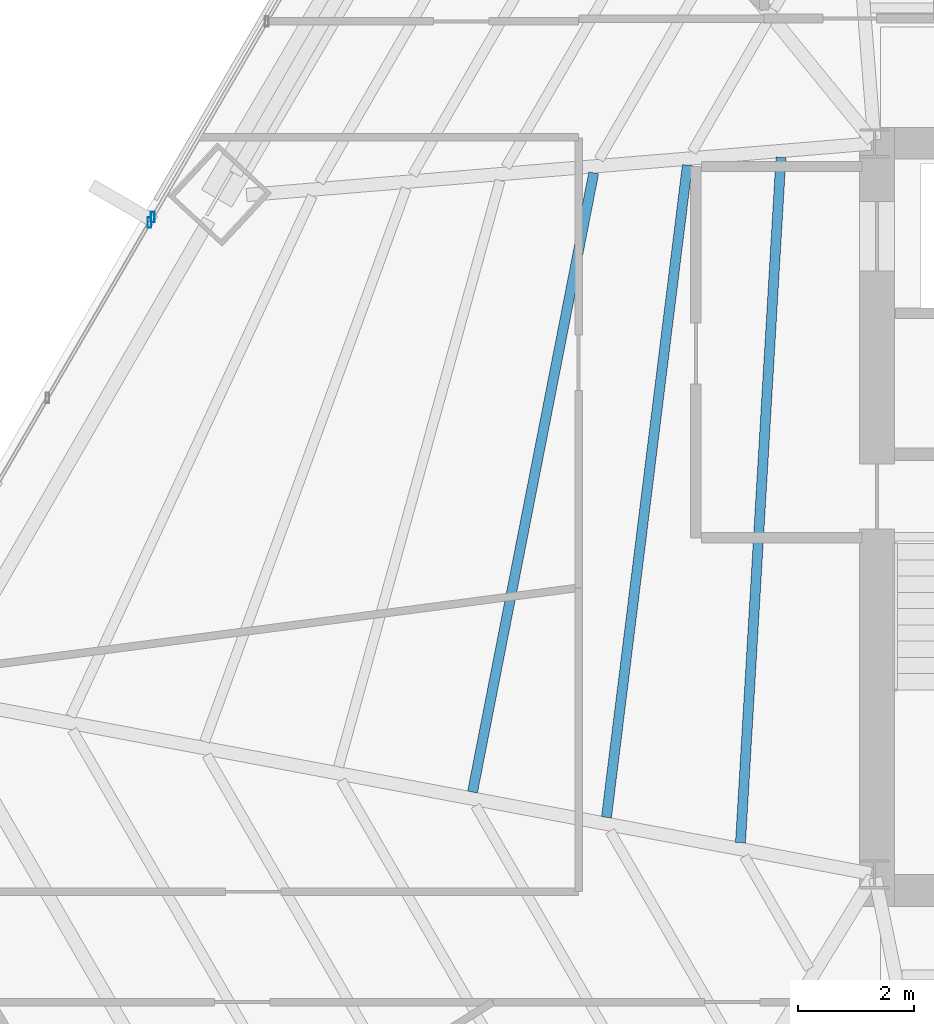
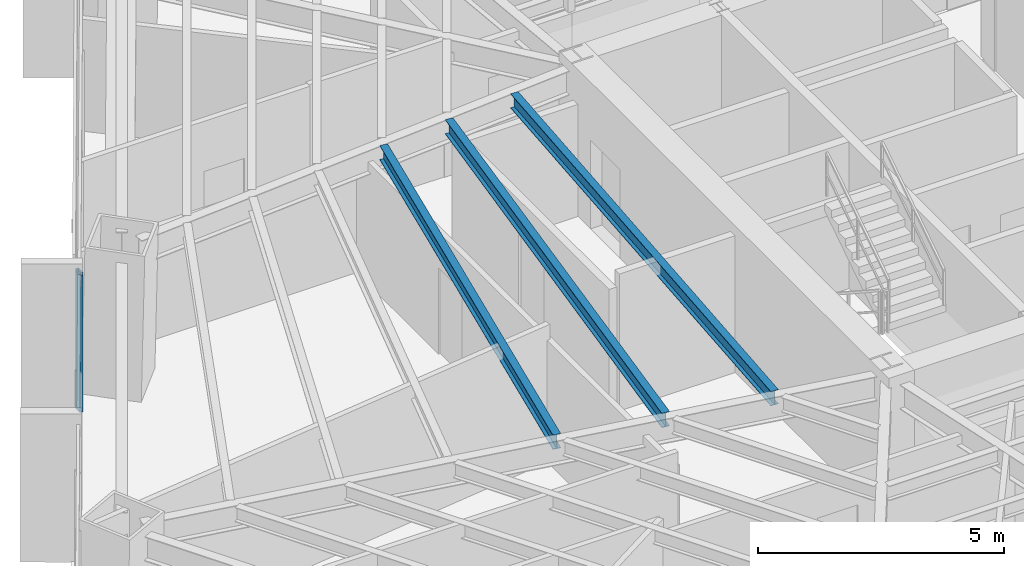
# One storey, part 12 of 37: 3 beams, 2 members, 2 elements without a shape of their own.
"""IFC4 building model written with IfcOpenShell, lengths in metres."""

import ifcopenshell
import ifcopenshell.guid

model = None  # the IFC model being written
_history = None  # IfcOwnerHistory: only IFC2X3 demands one
_inside = {}  # id of a spatial element -> (the spatial element, [elements in it])
_under = {}  # id of a project, library or spatial element -> (it, [spatial elements below it])
_declared = {}  # id of a project -> (the project, [libraries it declares])
_typed = {}  # id of a type object -> (the type object, [elements of that type])
_made_of = {}  # id of a material, layer set ... -> (it, [elements and type objects made of it])


def new_model(schema):
    """Start an empty IFC model of exactly this schema.

    Asked for "IFC4X3", IfcOpenShell would pick the latest addendum, in which some entities
    have other attributes; the version numbers below select the first issue.
    IFC2X3 requires an IfcOwnerHistory on every rooted entity: one is made here for all.
    """
    global model, _history
    if schema == "IFC4X3":
        model = ifcopenshell.file(schema_version=(4, 3, 0, 0))
    else:
        model = ifcopenshell.file(schema=schema)
    _inside.clear()
    _under.clear()
    _declared.clear()
    _typed.clear()
    _made_of.clear()
    _history = None
    if model.schema == "IFC2X3":
        org = make("IfcOrganization", Name="unknown")
        user = make(
            "IfcPersonAndOrganization",
            ThePerson=make("IfcPerson", FamilyName="unknown"),
            TheOrganization=org,
        )
        app = make(
            "IfcApplication",
            ApplicationDeveloper=org,
            Version="unknown",
            ApplicationFullName="unknown",
            ApplicationIdentifier="unknown",
        )
        _history = make(
            "IfcOwnerHistory",
            OwningUser=user,
            OwningApplication=app,
            ChangeAction="ADDED",
            CreationDate=0,
        )
    return model


def make(cls, **values):
    """One entity of the class cls with the attributes given. An attribute that is None is left unset."""
    return model.create_entity(
        cls, **{name: value for name, value in values.items() if value is not None}
    )


def rooted(cls, **values):
    """An entity with a GlobalId (a new one), such as an element, a storey or a relation."""
    return make(cls, GlobalId=ifcopenshell.guid.new(), OwnerHistory=_history, **values)


def si_unit(unit_type, name, prefix=None):
    """IfcSIUnit, for example si_unit("LENGTHUNIT", "METRE", prefix="MILLI")."""
    return make("IfcSIUnit", UnitType=unit_type, Prefix=prefix, Name=name)


def assignment(units):
    """IfcUnitAssignment: the units of a project."""
    return None if units is None else make("IfcUnitAssignment", Units=units)


def point(xyz):
    """IfcCartesianPoint."""
    return None if xyz is None else make("IfcCartesianPoint", Coordinates=xyz)


def direction(xyz):
    """IfcDirection."""
    return None if xyz is None else make("IfcDirection", DirectionRatios=xyz)


def frame(location, z_axis=None, x_axis=None):
    """IfcAxis2Placement3D, a coordinate frame: its origin and axes. An axis left out is left unset."""
    return make(
        "IfcAxis2Placement3D",
        Location=point(location),
        Axis=direction(z_axis),
        RefDirection=direction(x_axis),
    )


def frame_2d(location, x_axis=None):
    """IfcAxis2Placement2D, a coordinate frame in the plane: its origin and x axis."""
    return make(
        "IfcAxis2Placement2D", Location=point(location), RefDirection=direction(x_axis)
    )


def origin():
    """The frame at (0, 0, 0) with its axes left unset."""
    return frame((0.0, 0.0, 0.0))


def origin_2d():
    """The frame at (0, 0) in the plane with its x axis left unset."""
    return frame_2d((0.0, 0.0))


def place(relative_to, where):
    """IfcLocalPlacement: puts the frame where relative to a parent placement (None: the world)."""
    return make(
        "IfcLocalPlacement", PlacementRelTo=relative_to, RelativePlacement=where
    )


def context(
    kind, dimensions, precision=None, world=None, true_north=None, identifier=None
):
    """IfcGeometricRepresentationContext, for example the 3D "Model" context."""
    return make(
        "IfcGeometricRepresentationContext",
        ContextIdentifier=identifier,
        ContextType=kind,
        CoordinateSpaceDimension=dimensions,
        Precision=precision,
        WorldCoordinateSystem=world,
        TrueNorth=true_north,
    )


def subcontext(parent, identifier, kind, view, scale=None):
    """IfcGeometricRepresentationSubContext, for example "Body" below "Model"."""
    return make(
        "IfcGeometricRepresentationSubContext",
        ContextIdentifier=identifier,
        ContextType=kind,
        ParentContext=parent,
        TargetScale=scale,
        TargetView=view,
    )


def project(units=None, contexts=None):
    """IfcProject with its units and contexts."""
    return rooted(
        "IfcProject",
        Name="project",
        RepresentationContexts=contexts,
        UnitsInContext=assignment(units),
    )


def spatial(cls, under=None, at=None, **own):
    """A site, building, storey or space (cls), placed at a placement, below another one or the project."""
    s = rooted(cls, ObjectPlacement=at, **own)
    if under is not None:
        _under.setdefault(under.id(), (under, []))[1].append(s)
    return s


def profile(cls, at=None, kind="AREA", **sizes):
    """A parametric profile (cls). Its sizes go by their IFC names, for example OverallWidth=200.0."""
    return make(cls, ProfileType=kind, Position=at, **sizes)


def hollow_rectangle(**sizes):
    """IfcRectangleHollowProfileDef."""
    return profile("IfcRectangleHollowProfileDef", **sizes)


def i_section(**sizes):
    """IfcIShapeProfileDef."""
    return profile("IfcIShapeProfileDef", **sizes)


def extrude(swept, where, along, depth):
    """IfcExtrudedAreaSolid: the profile swept, set in the frame where, extruded along a direction by depth."""
    return make(
        "IfcExtrudedAreaSolid",
        SweptArea=swept,
        Position=where,
        ExtrudedDirection=direction(along),
        Depth=depth,
    )


def shape(context_of_items, identifier, shape_type, items):
    """IfcShapeRepresentation: the items that make up one representation, for example the "Body"."""
    return make(
        "IfcShapeRepresentation",
        ContextOfItems=context_of_items,
        RepresentationIdentifier=identifier,
        RepresentationType=shape_type,
        Items=items,
    )


def source(mapping_origin, context_of_items, identifier, shape_type, items):
    """IfcRepresentationMap: a shape defined once, which mapped items show again and again."""
    return make(
        "IfcRepresentationMap",
        MappingOrigin=mapping_origin,
        MappedRepresentation=shape(context_of_items, identifier, shape_type, items),
    )


def transform(
    local_origin,
    x_axis=None,
    y_axis=None,
    z_axis=None,
    scale=None,
    scale2=None,
    scale3=None,
    uniform=True,
):
    """IfcCartesianTransformationOperator3D, or its non-uniform kind. x_axis, y_axis, z_axis: its Axis1, 2, 3."""
    if uniform:
        return make(
            "IfcCartesianTransformationOperator3D",
            Axis1=direction(x_axis),
            Axis2=direction(y_axis),
            LocalOrigin=point(local_origin),
            Scale=scale,
            Axis3=direction(z_axis),
        )
    return make(
        "IfcCartesianTransformationOperator3DnonUniform",
        Axis1=direction(x_axis),
        Axis2=direction(y_axis),
        LocalOrigin=point(local_origin),
        Scale=scale,
        Axis3=direction(z_axis),
        Scale2=scale2,
        Scale3=scale3,
    )


def mapped(mapping_source, mapping_target):
    """IfcMappedItem: shows the shape of a source again, moved by a transform."""
    return make(
        "IfcMappedItem", MappingSource=mapping_source, MappingTarget=mapping_target
    )


def material(Name=None, Category=None):
    """IfcMaterial."""
    return make("IfcMaterial", Name=Name, Category=Category)


def material_profile(
    of_material, cross_section, Name=None, Category=None, Priority=None
):
    """IfcMaterialProfile: a cross section and its material."""
    return make(
        "IfcMaterialProfile",
        Name=Name,
        Material=of_material,
        Profile=cross_section,
        Priority=Priority,
        Category=Category,
    )


def profile_set(profiles, Name=None, composite=None):
    """IfcMaterialProfileSet."""
    return make(
        "IfcMaterialProfileSet",
        Name=Name,
        MaterialProfiles=profiles,
        CompositeProfile=composite,
    )


def made_of(thing, what):
    """Note that an element or type object is made of a material, layer set ...; save() writes the relation."""
    if what is not None:
        _made_of.setdefault(what.id(), (what, []))[1].append(thing)
    return thing


def type_object(cls, material=None, **own):
    """A type object (cls), such as IfcWallType, which elements share."""
    return made_of(rooted(cls, **own), material)


def type_shapes(of_type, sources):
    """Give a type object the sources (RepresentationMaps) that its elements show as mapped items."""
    of_type.RepresentationMaps = sources


def element(
    cls,
    number,
    at=None,
    inside=None,
    cuts=None,
    type_object=None,
    material=None,
    context=None,
    identifier="Body",
    shape_type=None,
    held_by="IfcProductDefinitionShape",
    body=None,
    shapes=None,
    **own,
):
    """One element of the class cls, such as IfcWall. Its Tag is "e" and its number.

    at: its placement. inside: the storey or other place that contains it. cuts: it is an
    opening in that element (IfcRelVoidsElement). A single representation is given by context,
    identifier, shape_type and body (its items); several are given by shapes. held_by: the class
    of the entity that holds the representations. save() writes the other relations.
    """
    e = rooted(cls, Tag="e%d" % number, ObjectPlacement=at, **own)
    if body is not None:
        shapes = [shape(context, identifier, shape_type, body)]
    if shapes is not None:
        e.Representation = make(held_by, Representations=shapes)
    if inside is not None:
        _inside.setdefault(inside.id(), (inside, []))[1].append(e)
    if cuts is not None:
        rooted(
            "IfcRelVoidsElement", RelatingBuildingElement=cuts, RelatedOpeningElement=e
        )
    if type_object is not None:
        _typed.setdefault(type_object.id(), (type_object, []))[1].append(e)
    return made_of(e, material)


def aggregate(whole, parts):
    """IfcRelAggregates: a whole, such as a stair, and the parts it consists of."""
    return rooted("IfcRelAggregates", RelatingObject=whole, RelatedObjects=parts)


def save(model, path):
    """Write the relations noted so far, then the file.

    IfcRelAggregates (storeys below a building ...), IfcRelContainedInSpatialStructure (elements
    in a storey), IfcRelDefinesByType, IfcRelAssociatesMaterial and IfcRelDeclares: one each for
    every whole, place, type object, material and project.
    """
    for whole, parts in _under.values():
        aggregate(whole, parts)
    for where, things in _inside.values():
        rooted(
            "IfcRelContainedInSpatialStructure",
            RelatedElements=things,
            RelatingStructure=where,
        )
    for kind, things in _typed.values():
        rooted("IfcRelDefinesByType", RelatedObjects=things, RelatingType=kind)
    for what, things in _made_of.values():
        rooted("IfcRelAssociatesMaterial", RelatedObjects=things, RelatingMaterial=what)
    for by, libraries in _declared.values():
        rooted("IfcRelDeclares", RelatingContext=by, RelatedDefinitions=libraries)
    model.write(path)


model = new_model("IFC4")

# Units and contexts
model_context = context("Model", 3, precision=1e-05, world=origin(), true_north=direction((0.0, 1.0)))
body_context = subcontext(model_context, "Body", "Model", "MODEL_VIEW")
ifc_project = project(units=[si_unit("LENGTHUNIT", "METRE"), si_unit("AREAUNIT", "SQUARE_METRE"), si_unit("VOLUMEUNIT", "CUBIC_METRE"), si_unit("PLANEANGLEUNIT", "RADIAN"), si_unit("MASSUNIT", "GRAM", prefix="KILO")], contexts=[model_context])

# Site, building, storey
site_placement = place(None, origin())
site = spatial("IfcSite", under=ifc_project, at=site_placement, CompositionType="ELEMENT")
building_placement = place(site_placement, origin())
building = spatial("IfcBuilding", under=site, at=building_placement, Name="Caelisora Broadcast Tower", CompositionType="ELEMENT")
storey_placement = place(building_placement, frame((0.0, 0.0, 45.85009765625)))
storey = spatial("IfcBuildingStorey", under=building, at=storey_placement, Name="L11", CompositionType="ELEMENT", Elevation=45.85009765625)

# Beams
ifc_material_1 = material(Name="Steel Grade 350 (AS/NZS 3679.1)", Category="steel")
ifc_material_profile_1 = material_profile(ifc_material_1, i_section(OverallWidth=0.172119140625, OverallDepth=0.358642578125, WebThickness=0.008056640625, FlangeThickness=0.012939453125, at=origin_2d()), Name="Steel Grade 350 (AS/NZS 3679.1)")
ifc_profile_set_1 = profile_set([ifc_material_profile_1], Name="Steel Grade 350 (AS/NZS 3679.1)")
beam_type = type_object("IfcBeamType", Name="SB02", PredefinedType="JOIST", material=ifc_profile_set_1)
shared_shape_1 = source(origin(), body_context, "Body", "SweptSolid", [
    extrude(i_section(OverallWidth=0.172119140625, OverallDepth=0.358642578125, WebThickness=0.008056640625, FlangeThickness=0.012939453125, at=origin_2d()), origin(), (0.0, 0.0, 1.0), 11.828125),
])
beam_1_placement = place(storey_placement, frame((28.8876953125, 29.755859375, 3.220703125), z_axis=(-0.058970062658, -0.998259751623, 0.0), x_axis=(0.998259751623, -0.058970062658, 0.0)))
element("IfcBeam", 1, at=beam_1_placement, inside=storey, type_object=beam_type, Name="L11 beam SB02", PredefinedType="JOIST", context=body_context, shape_type="MappedRepresentation", body=[
    mapped(shared_shape_1, transform((0.0, 0.0, 0.0), scale=1.0)),
])
shared_shape_2 = source(origin(), body_context, "Body", "SweptSolid", [
    extrude(i_section(OverallWidth=0.172119140625, OverallDepth=0.358642578125, WebThickness=0.008056640625, FlangeThickness=0.012939453125, at=origin_2d()), origin(), (0.0, 0.0, 1.0), 11.32568359375),
])
beam_2_placement = place(storey_placement, frame((27.274658203125, 29.622802734375, 3.220703125), z_axis=(-0.123087519373, -0.992395819507, 0.0), x_axis=(0.992395819507, -0.123087519373, 0.0)))
element("IfcBeam", 2, at=beam_2_placement, inside=storey, type_object=beam_type, Name="L11 beam SB02", PredefinedType="JOIST", context=body_context, shape_type="MappedRepresentation", body=[
    mapped(shared_shape_2, transform((0.0, 0.0, 0.0), scale=1.0)),
])
shared_shape_3 = source(origin(), body_context, "Body", "SweptSolid", [
    extrude(i_section(OverallWidth=0.172119140625, OverallDepth=0.358642578125, WebThickness=0.008056640625, FlangeThickness=0.012939453125, at=origin_2d()), origin(), (0.0, 0.0, 1.0), 10.873779296875),
])
type_shapes(beam_type, [shared_shape_1, shared_shape_2, shared_shape_3])
beam_3_placement = place(storey_placement, frame((25.66064453125, 29.48974609375, 3.220703125), z_axis=(-0.192103275368, -0.981374715179, 0.0), x_axis=(0.981374715179, -0.192103275368, 0.0)))
element("IfcBeam", 3, at=beam_3_placement, inside=storey, type_object=beam_type, Name="L11 beam SB02", PredefinedType="JOIST", context=body_context, shape_type="MappedRepresentation", body=[
    mapped(shared_shape_3, transform((0.0, 0.0, 0.0), scale=1.0)),
])

# Curtain wall, member
ifc_material_2 = material(Name="Unitised Aluminium and Low-E Glass Curtain Wall", Category="glass")
curtain_wall_type_1 = type_object("IfcCurtainWallType", Name="CW-Z1", PredefinedType="NOTDEFINED", material=ifc_material_2)
curtain_wall_1_placement = place(storey_placement, origin())
curtain_wall_1 = element("IfcCurtainWall", 4, at=curtain_wall_1_placement, inside=storey, type_object=curtain_wall_type_1, Name="L11 curtain wall CW-Z1", PredefinedType="NOTDEFINED")
ifc_material_3 = material(Name="Aluminium 6063-T6 Anodised Terracotta Bronze", Category="aluminium")
ifc_material_profile_2 = material_profile(ifc_material_3, hollow_rectangle(XDim=0.06494140625, YDim=0.179931640625, WallThickness=0.00341796875, at=origin_2d()), Name="Aluminium 6063-T6 Anodised Terracotta Bronze")
ifc_profile_set_2 = profile_set([ifc_material_profile_2], Name="Aluminium 6063-T6 Anodised Terracotta Bronze")
member_type = type_object("IfcMemberType", Name="CWM-02", PredefinedType="MULLION", material=ifc_profile_set_2)
shared_shape_4 = source(origin(), body_context, "Body", "SweptSolid", [
    extrude(hollow_rectangle(XDim=0.06494140625, YDim=0.179931640625, WallThickness=0.00341796875, at=origin_2d()), origin(), (0.0, 0.0, 1.0), 3.39990234375),
])
type_shapes(member_type, [shared_shape_4])
member_1_placement = place(storey_placement, frame((18.005615234375, 28.63134765625, 0.0), z_axis=(0.0, 0.0, 1.0), x_axis=(1.0, 0.0, 0.0)))
member_1 = element("IfcMember", 5, at=member_1_placement, type_object=member_type, Name="L11-CW-B09 mullion #3", PredefinedType="MULLION", context=body_context, shape_type="MappedRepresentation", body=[
    mapped(shared_shape_4, transform((0.0, 0.0, 0.0), scale=1.0)),
])
aggregate(curtain_wall_1, [member_1])

ifc_material_4 = material(Name="Unitised Aluminium Insulated Shadow-Box Spandrel Curtain Wall", Category="aluminium")
curtain_wall_type_2 = type_object("IfcCurtainWallType", Name="CW-SP1", PredefinedType="NOTDEFINED", material=ifc_material_4)
curtain_wall_2_placement = place(storey_placement, origin())
curtain_wall_2 = element("IfcCurtainWall", 6, at=curtain_wall_2_placement, inside=storey, type_object=curtain_wall_type_2, Name="L11 curtain wall CW-SP1", PredefinedType="NOTDEFINED")
member_2_placement = place(storey_placement, frame((18.060791015625, 28.726318359375, 0.0), z_axis=(0.0, 0.0, 1.0), x_axis=(1.0, 0.0, 0.0)))
member_2 = element("IfcMember", 7, at=member_2_placement, type_object=member_type, Name="L11-CW-B10 mullion #0", PredefinedType="MULLION", context=body_context, shape_type="MappedRepresentation", body=[
    mapped(shared_shape_4, transform((0.0, 0.0, 0.0), scale=1.0)),
])
aggregate(curtain_wall_2, [member_2])

save(model, "model.ifc")
